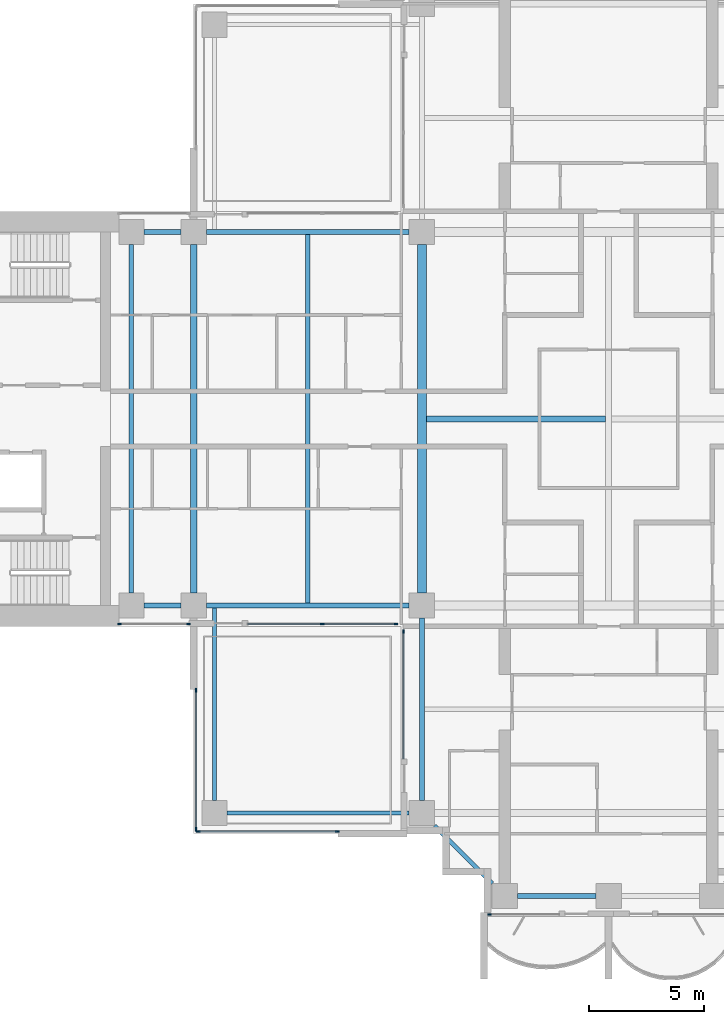
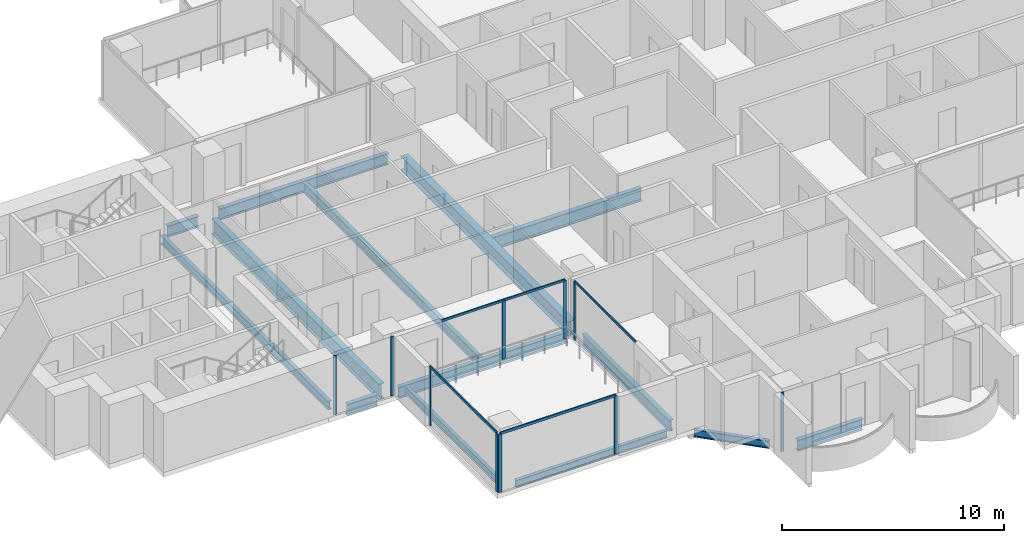
# One storey, part 2 of 18: 14 beams, 14 members, 6 elements without a shape of their own.
"""IFC4 building model written with IfcOpenShell, lengths in metres."""

from ifc_helpers import new_model, si_unit, direction, frame, origin, origin_2d, place, context, subcontext, project, spatial, rectangle, i_section, extrude, material, material_profile, profile_set, type_object, element, aggregate, save


model = new_model("IFC4")

# Units and contexts
model_context = context("Model", 3, precision=1e-05, world=origin(), true_north=direction((0.0, 1.0)))
body_context = subcontext(model_context, "Body", "Model", "MODEL_VIEW")
ifc_project = project(units=[si_unit("LENGTHUNIT", "METRE"), si_unit("AREAUNIT", "SQUARE_METRE"), si_unit("VOLUMEUNIT", "CUBIC_METRE"), si_unit("PLANEANGLEUNIT", "RADIAN"), si_unit("MASSUNIT", "GRAM", prefix="KILO")], contexts=[model_context])

# Site, building, storey
site_placement = place(None, origin())
site = spatial("IfcSite", under=ifc_project, at=site_placement, CompositionType="ELEMENT")
building_placement = place(site_placement, origin())
building = spatial("IfcBuilding", under=site, at=building_placement, Name="Perihelion Cross Residences", CompositionType="ELEMENT")
storey_placement = place(building_placement, frame((0.0, 0.0, 133.89990234375)))
storey = spatial("IfcBuildingStorey", under=building, at=storey_placement, Name="L32", CompositionType="ELEMENT", Elevation=133.89990234375)

# Curtain wall, members
ifc_material_1 = material(Name="Bronze anodised aluminium, tinted glazing", Category="aluminium")
curtain_wall_type_1 = type_object("IfcCurtainWallType", Name="CW1", PredefinedType="NOTDEFINED", material=ifc_material_1)
curtain_wall_1_placement = place(storey_placement, origin())
curtain_wall_1 = element("IfcCurtainWall", 1, at=curtain_wall_1_placement, inside=storey, type_object=curtain_wall_type_1, Name="Curtain wall CW1 L32 west side south bay 1", PredefinedType="NOTDEFINED")
ifc_material_2 = material(Name="Bronze anodised aluminium", Category="aluminium")
ifc_material_profile_1 = material_profile(ifc_material_2, rectangle(XDim=0.06005859375, YDim=0.159912109375, at=origin_2d()), Name="CW1 mullion")
ifc_profile_set_1 = profile_set([ifc_material_profile_1], Name="Bronze anodised aluminium")
member_type_1 = type_object("IfcMemberType", Name="CW1 mullion", PredefinedType="MULLION", material=ifc_profile_set_1)
member_1_placement = place(storey_placement, frame((-21.219970703125, -8.89990234375, 0.0), z_axis=(0.0, 0.0, 1.0), x_axis=(0.0, 1.0, 0.0)))
member_1 = element("IfcMember", 2, at=member_1_placement, type_object=member_type_1, Name="CW1 mullion 1", PredefinedType="MULLION", context=body_context, shape_type="SweptSolid", body=[
    extrude(rectangle(XDim=0.06005859375, YDim=0.159912109375, at=origin_2d()), origin(), (0.0, 0.0, 1.0), 3.25),
])
member_2_placement = place(storey_placement, frame((-18.22998046875, -8.89990234375, 0.0), z_axis=(0.0, 0.0, 1.0), x_axis=(0.0, 1.0, 0.0)))
member_2 = element("IfcMember", 3, at=member_2_placement, type_object=member_type_1, Name="CW1 mullion 2", PredefinedType="MULLION", context=body_context, shape_type="SweptSolid", body=[
    extrude(rectangle(XDim=0.06005859375, YDim=0.159912109375, at=origin_2d()), origin(), (0.0, 0.0, 1.0), 3.25),
])
aggregate(curtain_wall_1, [member_1, member_2])

curtain_wall_2_placement = place(storey_placement, origin())
curtain_wall_2 = element("IfcCurtainWall", 4, at=curtain_wall_2_placement, inside=storey, type_object=curtain_wall_type_1, Name="Curtain wall CW1 L32 west side south bay 2", PredefinedType="NOTDEFINED")
member_3_placement = place(storey_placement, frame((-12.425048828125, -8.89990234375, 0.0), z_axis=(0.0, 0.0, 1.0), x_axis=(0.0, 1.0, 0.0)))
member_3 = element("IfcMember", 5, at=member_3_placement, type_object=member_type_1, Name="CW1 mullion 2", PredefinedType="MULLION", context=body_context, shape_type="SweptSolid", body=[
    extrude(rectangle(XDim=0.06005859375, YDim=0.159912109375, at=origin_2d()), origin(), (0.0, 0.0, 1.0), 3.190185546875),
])
member_4_placement = place(storey_placement, frame((-9.22998046875, -8.89990234375, 0.0), z_axis=(0.0, 0.0, 1.0), x_axis=(0.0, 1.0, 0.0)))
member_4 = element("IfcMember", 6, at=member_4_placement, type_object=member_type_1, Name="CW1 mullion 3", PredefinedType="MULLION", context=body_context, shape_type="SweptSolid", body=[
    extrude(rectangle(XDim=0.06005859375, YDim=0.159912109375, at=origin_2d()), origin(), (0.0, 0.0, 1.0), 3.190185546875),
])

# Curtain wall, member
curtain_wall_3_placement = place(storey_placement, origin())
curtain_wall_3 = element("IfcCurtainWall", 7, at=curtain_wall_3_placement, inside=storey, type_object=curtain_wall_type_1, Name="Curtain wall CW1 L32 south side west bay 1", PredefinedType="NOTDEFINED")
member_5_placement = place(storey_placement, frame((-8.89990234375, -9.22998046875, 0.0), z_axis=(0.0, 0.0, 1.0), x_axis=(1.0, 0.0, 0.0)))
member_5 = element("IfcMember", 8, at=member_5_placement, type_object=member_type_1, Name="CW1 mullion 1", PredefinedType="MULLION", context=body_context, shape_type="SweptSolid", body=[
    extrude(rectangle(XDim=0.06005859375, YDim=0.159912109375, at=origin_2d()), origin(), (0.0, 0.0, 1.0), 3.190185546875),
])

curtain_wall_4_placement = place(storey_placement, origin())
curtain_wall_4 = element("IfcCurtainWall", 9, at=curtain_wall_4_placement, inside=storey, type_object=curtain_wall_type_1, Name="Curtain wall CW1 L32 south tip south bay 1", PredefinedType="NOTDEFINED")
member_6_placement = place(storey_placement, frame((-5.169921875, -21.5, 0.0), z_axis=(0.0, 0.0, 1.0), x_axis=(0.0, 1.0, 0.0)))
member_6 = element("IfcMember", 10, at=member_6_placement, type_object=member_type_1, Name="CW1 mullion 1", PredefinedType="MULLION", context=body_context, shape_type="SweptSolid", body=[
    extrude(rectangle(XDim=0.06005859375, YDim=0.159912109375, at=origin_2d()), origin(), (0.0, 0.0, 1.0), 3.25),
])
aggregate(curtain_wall_4, [member_6])

# Member
ifc_material_3 = material(Name="Bronze anodised aluminium", Category="aluminium")
ifc_material_profile_2 = material_profile(ifc_material_3, rectangle(XDim=0.06005859375, YDim=0.1201171875, at=origin_2d()), Name="CW1 transom")
ifc_profile_set_2 = profile_set([ifc_material_profile_2], Name="Bronze anodised aluminium")
member_type_2 = type_object("IfcMemberType", Name="CW1 transom", PredefinedType="USERDEFINED", material=ifc_profile_set_2)
member_7_placement = place(storey_placement, frame((-15.64990234375, -8.89990234375, 3.22021484375), z_axis=(1.0, 0.0, 0.0), x_axis=(0.0, 1.0, 0.0)))
member_7 = element("IfcMember", 11, at=member_7_placement, type_object=member_type_2, Name="CW1 head transom", ObjectType="TRANSOM", PredefinedType="USERDEFINED", context=body_context, shape_type="SweptSolid", body=[
    extrude(rectangle(XDim=0.06005859375, YDim=0.1201171875, at=origin_2d()), origin(), (0.0, 0.0, 1.0), 6.419921875),
])

aggregate(curtain_wall_2, [member_3, member_4, member_7])

member_8_placement = place(storey_placement, frame((-8.89990234375, -9.22998046875, 3.22021484375), z_axis=(0.0, -1.0, 0.0), x_axis=(1.0, 0.0, 0.0)))
member_8 = element("IfcMember", 12, at=member_8_placement, type_object=member_type_2, Name="CW1 head transom", ObjectType="TRANSOM", PredefinedType="USERDEFINED", context=body_context, shape_type="SweptSolid", body=[
    extrude(rectangle(XDim=0.06005859375, YDim=0.1201171875, at=origin_2d()), origin(), (0.0, 0.0, 1.0), 5.52001953125),
])

aggregate(curtain_wall_3, [member_5, member_8])

# Curtain wall, members
ifc_material_4 = material(Name="Bronze anodised aluminium, tinted glazing", Category="aluminium")
curtain_wall_type_2 = type_object("IfcCurtainWallType", Name="CW4", PredefinedType="NOTDEFINED", material=ifc_material_4)
curtain_wall_5_placement = place(storey_placement, origin())
curtain_wall_5 = element("IfcCurtainWall", 13, at=curtain_wall_5_placement, inside=storey, type_object=curtain_wall_type_2, Name="Curtain wall CW4 L32 pocket south-west 1 1", PredefinedType="NOTDEFINED")
ifc_material_5 = material(Name="Bronze anodised aluminium", Category="aluminium")
ifc_material_profile_3 = material_profile(ifc_material_5, rectangle(XDim=0.06005859375, YDim=0.179931640625, at=origin_2d()), Name="CW4 mullion")
ifc_profile_set_3 = profile_set([ifc_material_profile_3], Name="Bronze anodised aluminium")
member_type_3 = type_object("IfcMemberType", Name="CW4 mullion", PredefinedType="MULLION", material=ifc_profile_set_3)
member_9_placement = place(storey_placement, frame((-11.77001953125, -17.89990234375, 0.0), z_axis=(0.0, 0.0, 1.0), x_axis=(0.0, -1.0, 0.0)))
member_9 = element("IfcMember", 14, at=member_9_placement, type_object=member_type_3, Name="CW4 mullion 1", PredefinedType="MULLION", context=body_context, shape_type="SweptSolid", body=[
    extrude(rectangle(XDim=0.06005859375, YDim=0.179931640625, at=origin_2d()), origin(), (0.0, 0.0, 1.0), 3.190185546875),
])
member_10_placement = place(storey_placement, frame((-17.800048828125, -17.89990234375, 0.0), z_axis=(0.0, 0.0, 1.0), x_axis=(0.0, -1.0, 0.0)))
member_10 = element("IfcMember", 15, at=member_10_placement, type_object=member_type_3, Name="CW4 mullion 2", PredefinedType="MULLION", context=body_context, shape_type="SweptSolid", body=[
    extrude(rectangle(XDim=0.06005859375, YDim=0.179931640625, at=origin_2d()), origin(), (0.0, 0.0, 1.0), 3.190185546875),
])

curtain_wall_6_placement = place(storey_placement, origin())
curtain_wall_6 = element("IfcCurtainWall", 16, at=curtain_wall_6_placement, inside=storey, type_object=curtain_wall_type_2, Name="Curtain wall CW4 L32 pocket south-west 1 2", PredefinedType="NOTDEFINED")
member_11_placement = place(storey_placement, frame((-17.89990234375, -17.800048828125, 0.0), z_axis=(0.0, 0.0, 1.0), x_axis=(-1.0, 0.0, 0.0)))
member_11 = element("IfcMember", 17, at=member_11_placement, type_object=member_type_3, Name="CW4 mullion 1", PredefinedType="MULLION", context=body_context, shape_type="SweptSolid", body=[
    extrude(rectangle(XDim=0.06005859375, YDim=0.179931640625, at=origin_2d()), origin(), (0.0, 0.0, 1.0), 3.190185546875),
])
member_12_placement = place(storey_placement, frame((-17.89990234375, -11.77001953125, 0.0), z_axis=(0.0, 0.0, 1.0), x_axis=(-1.0, 0.0, 0.0)))
member_12 = element("IfcMember", 18, at=member_12_placement, type_object=member_type_3, Name="CW4 mullion 2", PredefinedType="MULLION", context=body_context, shape_type="SweptSolid", body=[
    extrude(rectangle(XDim=0.06005859375, YDim=0.179931640625, at=origin_2d()), origin(), (0.0, 0.0, 1.0), 3.190185546875),
])

# Member
ifc_material_6 = material(Name="Bronze anodised aluminium", Category="aluminium")
ifc_material_profile_4 = material_profile(ifc_material_6, rectangle(XDim=0.06005859375, YDim=0.139892578125, at=origin_2d()), Name="CW4 transom")
ifc_profile_set_4 = profile_set([ifc_material_profile_4], Name="Bronze anodised aluminium")
member_type_4 = type_object("IfcMemberType", Name="CW4 transom", PredefinedType="USERDEFINED", material=ifc_profile_set_4)
member_13_placement = place(storey_placement, frame((-11.77001953125, -17.89990234375, 3.22021484375), z_axis=(-1.0, 0.0, 0.0), x_axis=(0.0, -1.0, 0.0)))
member_13 = element("IfcMember", 19, at=member_13_placement, type_object=member_type_4, Name="CW4 head transom", ObjectType="TRANSOM", PredefinedType="USERDEFINED", context=body_context, shape_type="SweptSolid", body=[
    extrude(rectangle(XDim=0.06005859375, YDim=0.139892578125, at=origin_2d()), origin(), (0.0, 0.0, 1.0), 6.030029296875),
])

aggregate(curtain_wall_5, [member_9, member_10, member_13])

member_14_placement = place(storey_placement, frame((-17.89990234375, -17.800048828125, 3.22021484375), z_axis=(0.0, 1.0, 0.0), x_axis=(-1.0, 0.0, 0.0)))
member_14 = element("IfcMember", 20, at=member_14_placement, type_object=member_type_4, Name="CW4 head transom", ObjectType="TRANSOM", PredefinedType="USERDEFINED", context=body_context, shape_type="SweptSolid", body=[
    extrude(rectangle(XDim=0.06005859375, YDim=0.139892578125, at=origin_2d()), origin(), (0.0, 0.0, 1.0), 6.030029296875),
])

aggregate(curtain_wall_6, [member_11, member_12, member_14])

# Beams
ifc_material_7 = material(Name="Steel S355", Category="steel")
ifc_material_profile_5 = material_profile(ifc_material_7, i_section(OverallWidth=0.177978515625, OverallDepth=0.406005859375, WebThickness=0.0078125, FlangeThickness=0.0126953125, at=origin_2d()), Name="W410x60")
ifc_profile_set_5 = profile_set([ifc_material_profile_5], Name="Steel S355")
beam_type_1 = type_object("IfcBeamType", Name="Core edge beam W410x60", PredefinedType="BEAM", material=ifc_profile_set_5)
beam_1_placement = place(storey_placement, frame((-17.10009765625, -8.214599609375, -0.452880859375), z_axis=(0.0, -1.0, 0.0), x_axis=(1.0, 0.0, 0.0)))
element("IfcBeam", 21, at=beam_1_placement, inside=storey, type_object=beam_type_1, Name="Core edge beam TB2 L32 corner no. 1", PredefinedType="BEAM", context=body_context, shape_type="SweptSolid", body=[
    extrude(i_section(OverallWidth=0.177978515625, OverallDepth=0.406005859375, WebThickness=0.0078125, FlangeThickness=0.0126953125, at=origin_2d()), origin(), (0.0, 0.0, 1.0), 8.33544921875),
])
beam_2_placement = place(storey_placement, frame((-8.64990234375, -17.10009765625, -0.452880859375), z_axis=(-1.0, 0.0, 0.0), x_axis=(0.0, -1.0, 0.0)))
element("IfcBeam", 22, at=beam_2_placement, inside=storey, type_object=beam_type_1, Name="Core edge beam TB2 L32 corner no. 2", PredefinedType="BEAM", context=body_context, shape_type="SweptSolid", body=[
    extrude(i_section(OverallWidth=0.177978515625, OverallDepth=0.406005859375, WebThickness=0.0078125, FlangeThickness=0.0126953125, at=origin_2d()), origin(), (0.0, 0.0, 1.0), 7.900146484375),
])
ifc_material_8 = material(Name="Steel S355", Category="steel")
ifc_material_profile_6 = material_profile(ifc_material_8, i_section(OverallWidth=0.194091796875, OverallDepth=0.469970703125, WebThickness=0.0126953125, FlangeThickness=0.0205078125, at=origin_2d()), Name="W460x106")
ifc_profile_set_6 = profile_set([ifc_material_profile_6], Name="Steel S355")
beam_type_2 = type_object("IfcBeamType", Name="Core edge beam W460x106", PredefinedType="BEAM", material=ifc_profile_set_6)
beam_3_placement = place(storey_placement, frame((-20.699951171875, -7.550048828125, -0.48486328125), z_axis=(0.0, 1.0, 0.0), x_axis=(-1.0, 0.0, 0.0)))
element("IfcBeam", 23, at=beam_3_placement, inside=storey, type_object=beam_type_2, Name="Core edge beam TB5 L32 no. 1", PredefinedType="BEAM", context=body_context, shape_type="SweptSolid", body=[
    extrude(i_section(OverallWidth=0.194091796875, OverallDepth=0.469970703125, WebThickness=0.0126953125, FlangeThickness=0.0205078125, at=origin_2d()), origin(), (0.0, 0.0, 1.0), 15.10009765625),
])
ifc_material_9 = material(Name="Steel S355", Category="steel")
ifc_material_profile_7 = material_profile(ifc_material_9, i_section(OverallWidth=0.22900390625, OverallDepth=0.612060546875, WebThickness=0.011962890625, FlangeThickness=0.01953125, at=origin_2d()), Name="W610x125")
ifc_profile_set_7 = profile_set([ifc_material_profile_7], Name="Steel S355")
beam_type_3 = type_object("IfcBeamType", Name="Edge beam W610x125", PredefinedType="SPANDREL", material=ifc_profile_set_7)
beam_4_placement = place(storey_placement, frame((-8.64990234375, 8.10009765625, -0.555908203125), z_axis=(-1.0, 0.0, 0.0), x_axis=(0.0, -1.0, 0.0)))
element("IfcBeam", 24, at=beam_4_placement, inside=storey, type_object=beam_type_3, Name="Edge beam SB3 L32 no. 8", PredefinedType="SPANDREL", context=body_context, shape_type="SweptSolid", body=[
    extrude(i_section(OverallWidth=0.22900390625, OverallDepth=0.612060546875, WebThickness=0.011962890625, FlangeThickness=0.01953125, at=origin_2d()), origin(), (0.0, 0.0, 1.0), 8.800048828125),
])
for number, where, z_axis, x_axis, name in (
    (25, (-18.550048828125, 8.10009765625, -0.555908203125), (-1.0, 0.0, 0.0), (0.0, -1.0, 0.0), "Edge beam SB3 L32 no. 2"),
    (26, (-20.14990234375, -8.10009765625, -0.555908203125), (1.0, 0.0, 0.0), (0.0, 1.0, 0.0), "Edge beam SB3 L32 no. 3"),
):
    element("IfcBeam", number, at=place(storey_placement, frame(where, z_axis=z_axis, x_axis=x_axis)), inside=storey, type_object=beam_type_3, Name=name, PredefinedType="SPANDREL", context=body_context, shape_type="SweptSolid", body=[
        extrude(i_section(OverallWidth=0.22900390625, OverallDepth=0.612060546875, WebThickness=0.011962890625, FlangeThickness=0.01953125, at=origin_2d()), origin(), (0.0, 0.0, 1.0), 1.599853515625),
    ])
beam_5_placement = place(storey_placement, frame((-17.449951171875, -8.10009765625, -0.555908203125), z_axis=(1.0, 0.0, 0.0), x_axis=(0.0, 1.0, 0.0)))
element("IfcBeam", 27, at=beam_5_placement, inside=storey, type_object=beam_type_3, Name="Edge beam SB3 L32 no. 1", PredefinedType="SPANDREL", context=body_context, shape_type="SweptSolid", body=[
    extrude(i_section(OverallWidth=0.22900390625, OverallDepth=0.612060546875, WebThickness=0.011962890625, FlangeThickness=0.01953125, at=origin_2d()), origin(), (0.0, 0.0, 1.0), 8.800048828125),
])
beam_6_placement = place(storey_placement, frame((-8.10009765625, -8.64990234375, -0.555908203125), z_axis=(0.0, -1.0, 0.0), x_axis=(1.0, 0.0, 0.0)))
element("IfcBeam", 28, at=beam_6_placement, inside=storey, type_object=beam_type_3, Name="Edge beam SB3 L32 no. 5", PredefinedType="SPANDREL", context=body_context, shape_type="SweptSolid", body=[
    extrude(i_section(OverallWidth=0.22900390625, OverallDepth=0.612060546875, WebThickness=0.011962890625, FlangeThickness=0.01953125, at=origin_2d()), origin(), (0.0, 0.0, 1.0), 7.900146484375),
])
beam_7_placement = place(storey_placement, frame((-3.949951171875, -20.699951171875, -0.555908203125), z_axis=(1.0, 0.0, 0.0), x_axis=(0.0, 1.0, 0.0)))
element("IfcBeam", 29, at=beam_7_placement, inside=storey, type_object=beam_type_3, Name="Edge beam SB3 L32 no. 4", PredefinedType="SPANDREL", context=body_context, shape_type="SweptSolid", body=[
    extrude(i_section(OverallWidth=0.22900390625, OverallDepth=0.612060546875, WebThickness=0.011962890625, FlangeThickness=0.01953125, at=origin_2d()), origin(), (0.0, 0.0, 1.0), 3.39990234375),
])
ifc_material_10 = material(Name="Steel S355", Category="steel")
ifc_material_profile_8 = material_profile(ifc_material_10, i_section(OverallWidth=0.2919921875, OverallDepth=0.8359375, WebThickness=0.013916015625, FlangeThickness=0.018798828125, at=origin_2d()), Name="W840x176")
ifc_profile_set_8 = profile_set([ifc_material_profile_8], Name="Steel S355")
beam_type_4 = type_object("IfcBeamType", Name="Floor girder W840x176", PredefinedType="BEAM", material=ifc_profile_set_8)
beam_8_placement = place(storey_placement, frame((-18.0, -7.550048828125, -0.66796875), z_axis=(0.0, 1.0, 0.0), x_axis=(-1.0, 0.0, 0.0)))
element("IfcBeam", 30, at=beam_8_placement, inside=storey, type_object=beam_type_4, Name="Girder G3 L32 no. 1", PredefinedType="BEAM", context=body_context, shape_type="SweptSolid", body=[
    extrude(i_section(OverallWidth=0.2919921875, OverallDepth=0.8359375, WebThickness=0.013916015625, FlangeThickness=0.018798828125, at=origin_2d()), origin(), (0.0, 0.0, 1.0), 15.10009765625),
])
ifc_material_11 = material(Name="Steel S355", Category="steel")
ifc_material_profile_9 = material_profile(ifc_material_11, i_section(OverallWidth=0.208984375, OverallDepth=0.532958984375, WebThickness=0.01025390625, FlangeThickness=0.015625, at=origin_2d()), Name="W530x92")
ifc_profile_set_9 = profile_set([ifc_material_profile_9], Name="Steel S355")
beam_type_5 = type_object("IfcBeamType", Name="Floor joist W530x92", PredefinedType="JOIST", material=ifc_profile_set_9)
beam_9_placement = place(storey_placement, frame((-13.050048828125, -7.985595703125, -0.516357421875), z_axis=(0.0, 1.0, 0.0), x_axis=(-1.0, 0.0, 0.0)))
element("IfcBeam", 31, at=beam_9_placement, inside=storey, type_object=beam_type_5, Name="Joist J4 L32 no. 1", PredefinedType="JOIST", context=body_context, shape_type="SweptSolid", body=[
    extrude(i_section(OverallWidth=0.208984375, OverallDepth=0.532958984375, WebThickness=0.01025390625, FlangeThickness=0.015625, at=origin_2d()), origin(), (0.0, 0.0, 1.0), 15.97119140625),
])
ifc_material_12 = material(Name="Steel S355", Category="steel")
ifc_material_profile_10 = material_profile(ifc_material_12, i_section(OverallWidth=0.257080078125, OverallDepth=0.693115234375, WebThickness=0.014404296875, FlangeThickness=0.023681640625, at=origin_2d()), Name="W690x170")
ifc_profile_set_10 = profile_set([ifc_material_profile_10], Name="Steel S355")
beam_type_6 = type_object("IfcBeamType", Name="Hub cross beam W690x170", PredefinedType="BEAM", material=ifc_profile_set_10)
beam_10_placement = place(storey_placement, frame((-7.909423828125, 0.0, -0.596435546875), z_axis=(1.0, 0.0, 0.0), x_axis=(0.0, 1.0, 0.0)))
element("IfcBeam", 32, at=beam_10_placement, inside=storey, type_object=beam_type_6, Name="Hub cross beam XB3 L32 1 no. 1", PredefinedType="BEAM", context=body_context, shape_type="SweptSolid", body=[
    extrude(i_section(OverallWidth=0.257080078125, OverallDepth=0.693115234375, WebThickness=0.014404296875, FlangeThickness=0.023681640625, at=origin_2d()), origin(), (0.0, 0.0, 1.0), 7.781005859375),
])
ifc_material_13 = material(Name="Steel S355", Category="steel")
ifc_material_profile_11 = material_profile(ifc_material_13, i_section(OverallWidth=0.381103515625, OverallDepth=0.77197265625, WebThickness=0.0166015625, FlangeThickness=0.027099609375, at=origin_2d()), Name="W760x257")
ifc_profile_set_11 = profile_set([ifc_material_profile_11], Name="Steel S355")
beam_type_7 = type_object("IfcBeamType", Name="Hub ring girder W760x257", PredefinedType="BEAM", material=ifc_profile_set_11)
beam_11_placement = place(storey_placement, frame((-8.10009765625, 7.550048828125, -0.635986328125), z_axis=(0.0, -1.0, 0.0), x_axis=(1.0, 0.0, 0.0)))
element("IfcBeam", 33, at=beam_11_placement, inside=storey, type_object=beam_type_7, Name="Hub ring girder RG3 L32 no. 2", PredefinedType="BEAM", context=body_context, shape_type="SweptSolid", body=[
    extrude(i_section(OverallWidth=0.381103515625, OverallDepth=0.77197265625, WebThickness=0.0166015625, FlangeThickness=0.027099609375, at=origin_2d()), origin(), (0.0, 0.0, 1.0), 15.10009765625),
])
ifc_material_14 = material(Name="Steel S355", Category="steel")
ifc_material_profile_12 = material_profile(ifc_material_14, i_section(OverallWidth=0.180908203125, OverallDepth=0.4169921875, WebThickness=0.010986328125, FlangeThickness=0.018310546875, at=origin_2d()), Name="W410x85")
ifc_profile_set_12 = profile_set([ifc_material_profile_12], Name="Steel S355")
beam_type_8 = type_object("IfcBeamType", Name="Serration edge beam W410x85", PredefinedType="BEAM", material=ifc_profile_set_12)
beam_12_placement = place(storey_placement, frame((-7.550048828125, -17.64990234375, -0.45849609375), z_axis=(0.707106781187, -0.707106781187, 0.0), x_axis=(0.707106781187, 0.707106781187, 0.0)))
element("IfcBeam", 34, at=beam_12_placement, inside=storey, type_object=beam_type_8, Name="Serration edge beam EB3 L32 no. 2", PredefinedType="BEAM", context=body_context, shape_type="SweptSolid", body=[
    extrude(i_section(OverallWidth=0.180908203125, OverallDepth=0.4169921875, WebThickness=0.010986328125, FlangeThickness=0.018310546875, at=origin_2d()), origin(), (0.0, 0.0, 1.0), 3.53564453125),
])

save(model, "model.ifc")
